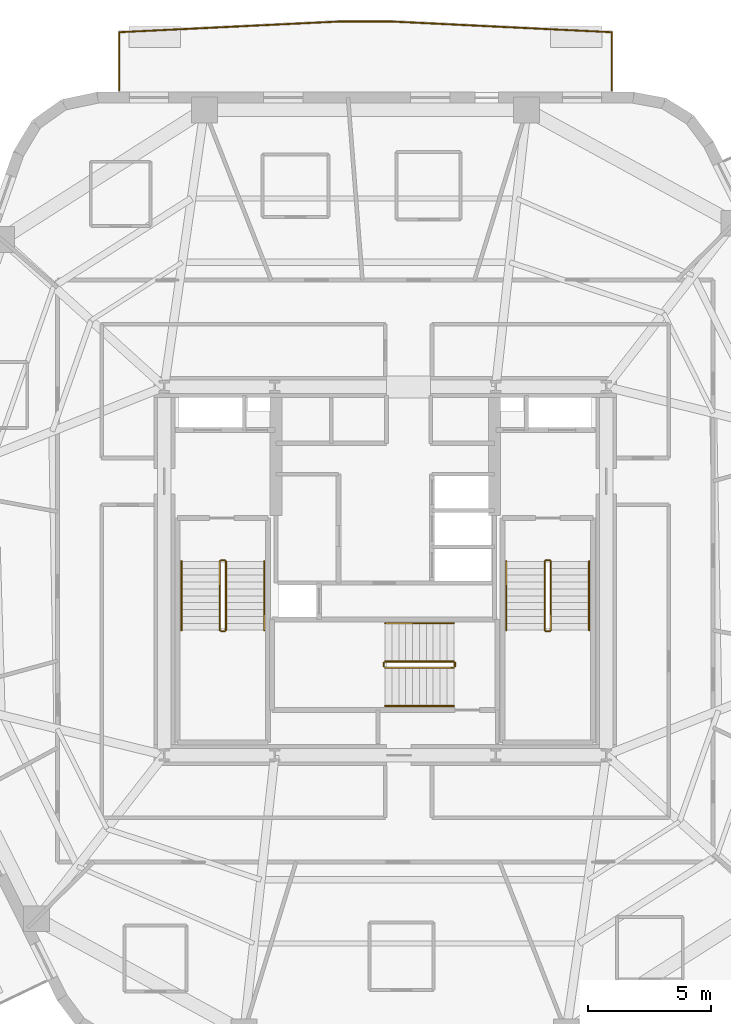
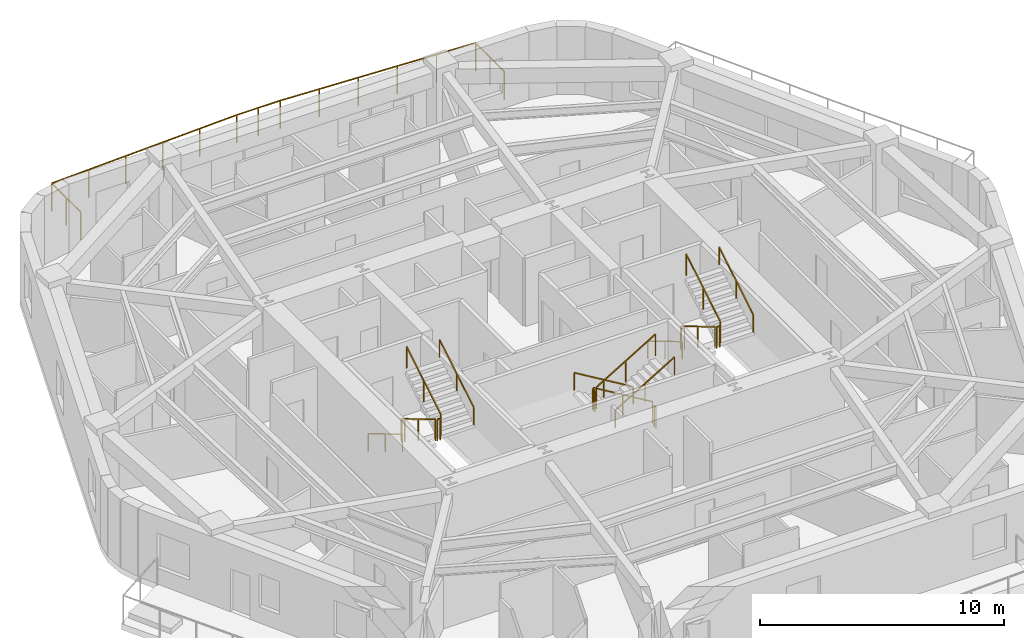
# One storey, part 9 of 10: 19 railings.
"""IFC4 building model written with IfcOpenShell, lengths in metres."""

from ifc_helpers import new_model, si_unit, direction, frame, origin, origin_2d, place, context, subcontext, project, spatial, rectangle, extrude, material, layer, layer_set, type_object, element, save


model = new_model("IFC4")

# Units and contexts
model_context = context("Model", 3, precision=1e-05, world=origin(), true_north=direction((0.0, 1.0)))
body_context = subcontext(model_context, "Body", "Model", "MODEL_VIEW")
ifc_project = project(units=[si_unit("LENGTHUNIT", "METRE"), si_unit("AREAUNIT", "SQUARE_METRE"), si_unit("VOLUMEUNIT", "CUBIC_METRE"), si_unit("PLANEANGLEUNIT", "RADIAN"), si_unit("MASSUNIT", "GRAM", prefix="KILO")], contexts=[model_context])

# Site, building, storey
site_placement = place(None, origin())
site = spatial("IfcSite", under=ifc_project, at=site_placement, CompositionType="ELEMENT")
building_placement = place(site_placement, origin())
building = spatial("IfcBuilding", under=site, at=building_placement, Name="Kilnhurst Terrace Hotel", CompositionType="ELEMENT")
storey_placement = place(building_placement, frame((0.0, 0.0, 155.39990234375)))
storey = spatial("IfcBuildingStorey", under=building, at=storey_placement, Name="L38", CompositionType="ELEMENT", Elevation=155.39990234375)

# Railings
ifc_material_1 = material(Name="Laminated SentryGlas and Stainless Steel AISI 316L Balustrade", Category="steel")
ifc_layer_1 = layer(ifc_material_1, 0.070068359375, Name="Laminated SentryGlas and Stainless Steel AISI 316L Balustrade")
ifc_layer_set_1 = layer_set([ifc_layer_1], Name="Laminated SentryGlas and Stainless Steel AISI 316L Balustrade")
railing_type_1 = type_object("IfcRailingType", Name="RLG-BAL-1420", PredefinedType="BALUSTRADE", material=ifc_layer_set_1)
railing_1_placement = place(storey_placement, frame((-10.83349609375, 19.580078125, 0.0)))
element("IfcRailing", 1, at=railing_1_placement, inside=storey, type_object=railing_type_1, Name="L38 Exterior Terrace Guardrail BAL-L1B.1", PredefinedType="BALUSTRADE", context=body_context, shape_type="SweptSolid", body=[
    extrude(rectangle(XDim=0.048095703125, YDim=0.048095703125, at=origin_2d()), frame((0.0, 0.0, 1.39599609375), z_axis=(0.0, 1.0, 0.0), x_axis=(-1.0, 0.0, 0.0)), (0.0, 0.0, 1.0), 2.36279296875),
    extrude(rectangle(XDim=0.048095703125, YDim=0.048095703125, at=origin_2d()), frame((0.0, 2.36279296875, 1.39599609375), z_axis=(0.998822813861, 0.048507592295, 0.0), x_axis=(-0.048507592295, 0.998822813861, 0.0)), (0.0, 0.0, 1.0), 9.009033203125),
    extrude(rectangle(XDim=0.048095703125, YDim=0.048095703125, at=origin_2d()), frame((8.99853515625, 2.7998046875, 1.39599609375), z_axis=(1.0, 0.0, 0.0), x_axis=(0.0, 1.0, 0.0)), (0.0, 0.0, 1.0), 2.0556640625),
    extrude(rectangle(XDim=0.048095703125, YDim=0.048095703125, at=origin_2d()), frame((11.05419921875, 2.7998046875, 1.39599609375), z_axis=(0.998822813861, -0.048507592295, 0.0), x_axis=(0.048507592295, 0.998822813861, 0.0)), (0.0, 0.0, 1.0), 9.009033203125),
    extrude(rectangle(XDim=0.048095703125, YDim=0.048095703125, at=origin_2d()), frame((20.052734375, 2.36279296875, 1.39599609375), z_axis=(0.0, -1.0, 0.0), x_axis=(1.0, 0.0, 0.0)), (0.0, 0.0, 1.0), 2.36279296875),
    extrude(rectangle(XDim=0.0419921875, YDim=0.0419921875, at=origin_2d()), origin(), (0.0, 0.0, 1.0), 1.371826171875),
    extrude(rectangle(XDim=0.0419921875, YDim=0.0419921875, at=origin_2d()), frame((0.0, 1.181396484375, 0.0)), (0.0, 0.0, 1.0), 1.371826171875),
    extrude(rectangle(XDim=0.0419921875, YDim=0.0419921875, at=origin_2d()), frame((0.0, 2.36279296875, 0.0)), (0.0, 0.0, 1.0), 1.371826171875),
    extrude(rectangle(XDim=0.0419921875, YDim=0.0419921875, at=origin_2d()), frame((1.7998046875, 2.4501953125, 0.0)), (0.0, 0.0, 1.0), 1.371826171875),
    extrude(rectangle(XDim=0.0419921875, YDim=0.0419921875, at=origin_2d()), frame((3.599365234375, 2.53759765625, 0.0)), (0.0, 0.0, 1.0), 1.371826171875),
    extrude(rectangle(XDim=0.0419921875, YDim=0.0419921875, at=origin_2d()), frame((5.399169921875, 2.625, 0.0)), (0.0, 0.0, 1.0), 1.371826171875),
    extrude(rectangle(XDim=0.0419921875, YDim=0.0419921875, at=origin_2d()), frame((7.19873046875, 2.71240234375, 0.0)), (0.0, 0.0, 1.0), 1.371826171875),
    extrude(rectangle(XDim=0.0419921875, YDim=0.0419921875, at=origin_2d()), frame((8.99853515625, 2.7998046875, 0.0)), (0.0, 0.0, 1.0), 1.371826171875),
    extrude(rectangle(XDim=0.0419921875, YDim=0.0419921875, at=origin_2d()), frame((10.0263671875, 2.7998046875, 0.0)), (0.0, 0.0, 1.0), 1.371826171875),
    extrude(rectangle(XDim=0.0419921875, YDim=0.0419921875, at=origin_2d()), frame((11.05419921875, 2.7998046875, 0.0)), (0.0, 0.0, 1.0), 1.371826171875),
    extrude(rectangle(XDim=0.0419921875, YDim=0.0419921875, at=origin_2d()), frame((12.85400390625, 2.71240234375, 0.0)), (0.0, 0.0, 1.0), 1.371826171875),
    extrude(rectangle(XDim=0.0419921875, YDim=0.0419921875, at=origin_2d()), frame((14.653564453125, 2.625, 0.0)), (0.0, 0.0, 1.0), 1.371826171875),
    extrude(rectangle(XDim=0.0419921875, YDim=0.0419921875, at=origin_2d()), frame((16.453369140625, 2.53759765625, 0.0)), (0.0, 0.0, 1.0), 1.371826171875),
    extrude(rectangle(XDim=0.0419921875, YDim=0.0419921875, at=origin_2d()), frame((18.2529296875, 2.4501953125, 0.0)), (0.0, 0.0, 1.0), 1.371826171875),
    extrude(rectangle(XDim=0.0419921875, YDim=0.0419921875, at=origin_2d()), frame((20.052734375, 2.36279296875, 0.0)), (0.0, 0.0, 1.0), 1.371826171875),
    extrude(rectangle(XDim=0.0419921875, YDim=0.0419921875, at=origin_2d()), frame((20.052734375, 1.181396484375, 0.0)), (0.0, 0.0, 1.0), 1.371826171875),
    extrude(rectangle(XDim=0.0419921875, YDim=0.0419921875, at=origin_2d()), frame((20.052734375, 0.0, 0.0)), (0.0, 0.0, 1.0), 1.371826171875),
])
ifc_material_2 = material(Name="Powder-Coated Steel ASTM A500 Grade B", Category="steel")
ifc_layer_2 = layer(ifc_material_2, 0.050048828125, Name="Powder-Coated Steel ASTM A500 Grade B")
ifc_layer_set_2 = layer_set([ifc_layer_2], Name="Powder-Coated Steel ASTM A500 Grade B")
railing_type_2 = type_object("IfcRailingType", Name="RLG-ST-GRD-1100", PredefinedType="GUARDRAIL", material=ifc_layer_set_2)
railing_2_placement = place(storey_placement, frame((-6.739990234375, 0.389892578125, 0.168212890625)))
element("IfcRailing", 2, at=railing_2_placement, inside=storey, type_object=railing_type_2, Name="L38 ST-1 stair guard 1", PredefinedType="GUARDRAIL", context=body_context, shape_type="SweptSolid", body=[
    extrude(rectangle(XDim=0.048095703125, YDim=0.048095703125, at=origin_2d()), frame((0.0, 0.0, 1.076171875), z_axis=(0.0, -0.857222391501, 0.514946377315), x_axis=(1.0, 0.0, 0.0)), (0.0, 0.0, 1.0), 3.26611328125),
    extrude(rectangle(XDim=0.0419921875, YDim=0.0419921875, at=origin_2d()), origin(), (0.0, 0.0, 1.0), 1.052001953125),
    extrude(rectangle(XDim=0.0419921875, YDim=0.0419921875, at=origin_2d()), frame((0.0, -1.39990234375, 0.8408203125)), (0.0, 0.0, 1.0), 1.052001953125),
    extrude(rectangle(XDim=0.0419921875, YDim=0.0419921875, at=origin_2d()), frame((0.0, -2.7998046875, 1.681884765625)), (0.0, 0.0, 1.0), 1.052001953125),
])
railing_3_placement = place(storey_placement, frame((-6.68994140625, -2.4599609375, 1.85009765625)))
element("IfcRailing", 3, at=railing_3_placement, inside=storey, type_object=railing_type_2, Name="L38 ST-1 stair guard 2", PredefinedType="GUARDRAIL", context=body_context, shape_type="SweptSolid", body=[
    extrude(rectangle(XDim=0.048095703125, YDim=0.048095703125, at=origin_2d()), frame((0.0, 0.0, 1.076171875), z_axis=(1.0, 0.0, 0.0), x_axis=(0.0, 1.0, 0.0)), (0.0, 0.0, 1.0), 0.14990234375),
    extrude(rectangle(XDim=0.0419921875, YDim=0.0419921875, at=origin_2d()), origin(), (0.0, 0.0, 1.0), 1.052001953125),
    extrude(rectangle(XDim=0.0419921875, YDim=0.0419921875, at=origin_2d()), frame((0.14990234375, 0.0, 0.0)), (0.0, 0.0, 1.0), 1.052001953125),
])
railing_4_placement = place(storey_placement, frame((-6.489990234375, -2.409912109375, 2.018310546875)))
element("IfcRailing", 4, at=railing_4_placement, inside=storey, type_object=railing_type_2, Name="L38 ST-1 stair guard 3", PredefinedType="GUARDRAIL", context=body_context, shape_type="SweptSolid", body=[
    extrude(rectangle(XDim=0.048095703125, YDim=0.048095703125, at=origin_2d()), frame((0.0, 0.0, 1.076171875), z_axis=(0.0, 0.857222391501, 0.514946377315), x_axis=(-1.0, 0.0, 0.0)), (0.0, 0.0, 1.0), 3.26611328125),
    extrude(rectangle(XDim=0.0419921875, YDim=0.0419921875, at=origin_2d()), origin(), (0.0, 0.0, 1.0), 1.052001953125),
    extrude(rectangle(XDim=0.0419921875, YDim=0.0419921875, at=origin_2d()), frame((0.0, 1.39990234375, 0.8408203125)), (0.0, 0.0, 1.0), 1.052001953125),
    extrude(rectangle(XDim=0.0419921875, YDim=0.0419921875, at=origin_2d()), frame((0.0, 2.7998046875, 1.681884765625)), (0.0, 0.0, 1.0), 1.052001953125),
])
railing_5_placement = place(storey_placement, frame((-6.68994140625, 0.43994140625, 0.0)))
element("IfcRailing", 5, at=railing_5_placement, inside=storey, type_object=railing_type_2, Name="L38 ST-1 stair guard 4", PredefinedType="GUARDRAIL", context=body_context, shape_type="SweptSolid", body=[
    extrude(rectangle(XDim=0.048095703125, YDim=0.048095703125, at=origin_2d()), frame((0.0, 0.0, 1.076171875), z_axis=(1.0, 0.0, 0.0), x_axis=(0.0, 1.0, 0.0)), (0.0, 0.0, 1.0), 0.14990234375),
    extrude(rectangle(XDim=0.0419921875, YDim=0.0419921875, at=origin_2d()), origin(), (0.0, 0.0, 1.0), 1.052001953125),
    extrude(rectangle(XDim=0.0419921875, YDim=0.0419921875, at=origin_2d()), frame((0.14990234375, 0.0, 0.0)), (0.0, 0.0, 1.0), 1.052001953125),
])
railing_6_placement = place(storey_placement, frame((6.489990234375, 0.389892578125, 0.168212890625)))
element("IfcRailing", 6, at=railing_6_placement, inside=storey, type_object=railing_type_2, Name="L38 ST-2 stair guard 1", PredefinedType="GUARDRAIL", context=body_context, shape_type="SweptSolid", body=[
    extrude(rectangle(XDim=0.048095703125, YDim=0.048095703125, at=origin_2d()), frame((0.0, 0.0, 1.076171875), z_axis=(0.0, -0.857222391501, 0.514946377315), x_axis=(1.0, 0.0, 0.0)), (0.0, 0.0, 1.0), 3.26611328125),
    extrude(rectangle(XDim=0.0419921875, YDim=0.0419921875, at=origin_2d()), origin(), (0.0, 0.0, 1.0), 1.052001953125),
    extrude(rectangle(XDim=0.0419921875, YDim=0.0419921875, at=origin_2d()), frame((0.0, -1.39990234375, 0.8408203125)), (0.0, 0.0, 1.0), 1.052001953125),
    extrude(rectangle(XDim=0.0419921875, YDim=0.0419921875, at=origin_2d()), frame((0.0, -2.7998046875, 1.681884765625)), (0.0, 0.0, 1.0), 1.052001953125),
])
railing_7_placement = place(storey_placement, frame((6.5400390625, -2.4599609375, 1.85009765625)))
element("IfcRailing", 7, at=railing_7_placement, inside=storey, type_object=railing_type_2, Name="L38 ST-2 stair guard 2", PredefinedType="GUARDRAIL", context=body_context, shape_type="SweptSolid", body=[
    extrude(rectangle(XDim=0.048095703125, YDim=0.048095703125, at=origin_2d()), frame((0.0, 0.0, 1.076171875), z_axis=(1.0, 0.0, 0.0), x_axis=(0.0, 1.0, 0.0)), (0.0, 0.0, 1.0), 0.14990234375),
    extrude(rectangle(XDim=0.0419921875, YDim=0.0419921875, at=origin_2d()), origin(), (0.0, 0.0, 1.0), 1.052001953125),
    extrude(rectangle(XDim=0.0419921875, YDim=0.0419921875, at=origin_2d()), frame((0.14990234375, 0.0, 0.0)), (0.0, 0.0, 1.0), 1.052001953125),
])
railing_8_placement = place(storey_placement, frame((6.739990234375, -2.409912109375, 2.018310546875)))
element("IfcRailing", 8, at=railing_8_placement, inside=storey, type_object=railing_type_2, Name="L38 ST-2 stair guard 3", PredefinedType="GUARDRAIL", context=body_context, shape_type="SweptSolid", body=[
    extrude(rectangle(XDim=0.048095703125, YDim=0.048095703125, at=origin_2d()), frame((0.0, 0.0, 1.076171875), z_axis=(0.0, 0.857222391501, 0.514946377315), x_axis=(-1.0, 0.0, 0.0)), (0.0, 0.0, 1.0), 3.26611328125),
    extrude(rectangle(XDim=0.0419921875, YDim=0.0419921875, at=origin_2d()), origin(), (0.0, 0.0, 1.0), 1.052001953125),
    extrude(rectangle(XDim=0.0419921875, YDim=0.0419921875, at=origin_2d()), frame((0.0, 1.39990234375, 0.8408203125)), (0.0, 0.0, 1.0), 1.052001953125),
    extrude(rectangle(XDim=0.0419921875, YDim=0.0419921875, at=origin_2d()), frame((0.0, 2.7998046875, 1.681884765625)), (0.0, 0.0, 1.0), 1.052001953125),
])
railing_9_placement = place(storey_placement, frame((6.5400390625, 0.43994140625, 0.0)))
element("IfcRailing", 9, at=railing_9_placement, inside=storey, type_object=railing_type_2, Name="L38 ST-2 stair guard 4", PredefinedType="GUARDRAIL", context=body_context, shape_type="SweptSolid", body=[
    extrude(rectangle(XDim=0.048095703125, YDim=0.048095703125, at=origin_2d()), frame((0.0, 0.0, 1.076171875), z_axis=(1.0, 0.0, 0.0), x_axis=(0.0, 1.0, 0.0)), (0.0, 0.0, 1.0), 0.14990234375),
    extrude(rectangle(XDim=0.0419921875, YDim=0.0419921875, at=origin_2d()), origin(), (0.0, 0.0, 1.0), 1.052001953125),
    extrude(rectangle(XDim=0.0419921875, YDim=0.0419921875, at=origin_2d()), frame((0.14990234375, 0.0, 0.0)), (0.0, 0.0, 1.0), 1.052001953125),
])
railing_10_placement = place(storey_placement, frame((2.7900390625, -3.68994140625, 0.168212890625)))
element("IfcRailing", 10, at=railing_10_placement, inside=storey, type_object=railing_type_2, Name="L38 ST-3 stair guard 1", PredefinedType="GUARDRAIL", context=body_context, shape_type="SweptSolid", body=[
    extrude(rectangle(XDim=0.048095703125, YDim=0.048095703125, at=origin_2d()), frame((0.0, 0.0, 1.076171875), z_axis=(-0.857242210791, 0.0, 0.514913383045), x_axis=(0.0, -1.0, 0.0)), (0.0, 0.0, 1.0), 3.266357421875),
    extrude(rectangle(XDim=0.0419921875, YDim=0.0419921875, at=origin_2d()), origin(), (0.0, 0.0, 1.0), 1.052001953125),
    extrude(rectangle(XDim=0.0419921875, YDim=0.0419921875, at=origin_2d()), frame((-1.39990234375, 0.0, 0.8408203125)), (0.0, 0.0, 1.0), 1.052001953125),
    extrude(rectangle(XDim=0.0419921875, YDim=0.0419921875, at=origin_2d()), frame((-2.800048828125, 0.0, 1.681884765625)), (0.0, 0.0, 1.0), 1.052001953125),
])
railing_11_placement = place(storey_placement, frame((-0.06005859375, -3.739990234375, 1.85009765625)))
element("IfcRailing", 11, at=railing_11_placement, inside=storey, type_object=railing_type_2, Name="L38 ST-3 stair guard 2", PredefinedType="GUARDRAIL", context=body_context, shape_type="SweptSolid", body=[
    extrude(rectangle(XDim=0.048095703125, YDim=0.048095703125, at=origin_2d()), frame((0.0, 0.0, 1.076171875), z_axis=(0.0, -1.0, 0.0), x_axis=(1.0, 0.0, 0.0)), (0.0, 0.0, 1.0), 0.14990234375),
    extrude(rectangle(XDim=0.0419921875, YDim=0.0419921875, at=origin_2d()), origin(), (0.0, 0.0, 1.0), 1.052001953125),
    extrude(rectangle(XDim=0.0419921875, YDim=0.0419921875, at=origin_2d()), frame((0.0, -0.14990234375, 0.0)), (0.0, 0.0, 1.0), 1.052001953125),
])
railing_12_placement = place(storey_placement, frame((-0.010009765625, -3.93994140625, 2.018310546875)))
element("IfcRailing", 12, at=railing_12_placement, inside=storey, type_object=railing_type_2, Name="L38 ST-3 stair guard 3", PredefinedType="GUARDRAIL", context=body_context, shape_type="SweptSolid", body=[
    extrude(rectangle(XDim=0.048095703125, YDim=0.048095703125, at=origin_2d()), frame((0.0, 0.0, 1.076171875), z_axis=(0.857242210791, 0.0, 0.514913383045), x_axis=(0.0, 1.0, 0.0)), (0.0, 0.0, 1.0), 3.266357421875),
    extrude(rectangle(XDim=0.0419921875, YDim=0.0419921875, at=origin_2d()), origin(), (0.0, 0.0, 1.0), 1.052001953125),
    extrude(rectangle(XDim=0.0419921875, YDim=0.0419921875, at=origin_2d()), frame((1.39990234375, 0.0, 0.8408203125)), (0.0, 0.0, 1.0), 1.052001953125),
    extrude(rectangle(XDim=0.0419921875, YDim=0.0419921875, at=origin_2d()), frame((2.800048828125, 0.0, 1.681884765625)), (0.0, 0.0, 1.0), 1.052001953125),
])
railing_13_placement = place(storey_placement, frame((2.840087890625, -3.739990234375, 0.0)))
element("IfcRailing", 13, at=railing_13_placement, inside=storey, type_object=railing_type_2, Name="L38 ST-3 stair guard 4", PredefinedType="GUARDRAIL", context=body_context, shape_type="SweptSolid", body=[
    extrude(rectangle(XDim=0.048095703125, YDim=0.048095703125, at=origin_2d()), frame((0.0, 0.0, 1.076171875), z_axis=(0.0, -1.0, 0.0), x_axis=(1.0, 0.0, 0.0)), (0.0, 0.0, 1.0), 0.14990234375),
    extrude(rectangle(XDim=0.0419921875, YDim=0.0419921875, at=origin_2d()), origin(), (0.0, 0.0, 1.0), 1.052001953125),
    extrude(rectangle(XDim=0.0419921875, YDim=0.0419921875, at=origin_2d()), frame((0.0, -0.14990234375, 0.0)), (0.0, 0.0, 1.0), 1.052001953125),
])
ifc_material_3 = material(Name="Brushed Stainless Steel AISI 304", Category="steel")
ifc_layer_3 = layer(ifc_material_3, 0.048095703125, Name="Brushed Stainless Steel AISI 304")
ifc_layer_set_3 = layer_set([ifc_layer_3], Name="Brushed Stainless Steel AISI 304")
railing_type_3 = type_object("IfcRailingType", Name="RLG-ST-HRL-900", PredefinedType="HANDRAIL", material=ifc_layer_set_3)
railing_14_placement = place(storey_placement, frame((-8.300048828125, 0.389892578125, 0.168212890625)))
element("IfcRailing", 14, at=railing_14_placement, inside=storey, type_object=railing_type_3, Name="L38 ST-1 stair handrail 1", PredefinedType="HANDRAIL", context=body_context, shape_type="SweptSolid", body=[
    extrude(rectangle(XDim=0.048095703125, YDim=0.048095703125, at=origin_2d()), frame((0.0, 0.0, 0.8759765625), z_axis=(0.0, -0.857222391501, 0.514946377315), x_axis=(1.0, 0.0, 0.0)), (0.0, 0.0, 1.0), 3.26611328125),
    extrude(rectangle(XDim=0.0419921875, YDim=0.0419921875, at=origin_2d()), origin(), (0.0, 0.0, 1.0), 0.851806640625),
    extrude(rectangle(XDim=0.0419921875, YDim=0.0419921875, at=origin_2d()), frame((0.0, -1.39990234375, 0.8408203125)), (0.0, 0.0, 1.0), 0.851806640625),
    extrude(rectangle(XDim=0.0419921875, YDim=0.0419921875, at=origin_2d()), frame((0.0, -2.7998046875, 1.681884765625)), (0.0, 0.0, 1.0), 0.851806640625),
])
railing_15_placement = place(storey_placement, frame((-4.929931640625, -2.409912109375, 2.018310546875)))
element("IfcRailing", 15, at=railing_15_placement, inside=storey, type_object=railing_type_3, Name="L38 ST-1 stair handrail 2", PredefinedType="HANDRAIL", context=body_context, shape_type="SweptSolid", body=[
    extrude(rectangle(XDim=0.048095703125, YDim=0.048095703125, at=origin_2d()), frame((0.0, 0.0, 0.8759765625), z_axis=(0.0, 0.857222391501, 0.514946377315), x_axis=(-1.0, 0.0, 0.0)), (0.0, 0.0, 1.0), 3.26611328125),
    extrude(rectangle(XDim=0.0419921875, YDim=0.0419921875, at=origin_2d()), origin(), (0.0, 0.0, 1.0), 0.851806640625),
    extrude(rectangle(XDim=0.0419921875, YDim=0.0419921875, at=origin_2d()), frame((0.0, 1.39990234375, 0.8408203125)), (0.0, 0.0, 1.0), 0.851806640625),
    extrude(rectangle(XDim=0.0419921875, YDim=0.0419921875, at=origin_2d()), frame((0.0, 2.7998046875, 1.681884765625)), (0.0, 0.0, 1.0), 0.851806640625),
])
railing_16_placement = place(storey_placement, frame((4.929931640625, 0.389892578125, 0.168212890625)))
element("IfcRailing", 16, at=railing_16_placement, inside=storey, type_object=railing_type_3, Name="L38 ST-2 stair handrail 1", PredefinedType="HANDRAIL", context=body_context, shape_type="SweptSolid", body=[
    extrude(rectangle(XDim=0.048095703125, YDim=0.048095703125, at=origin_2d()), frame((0.0, 0.0, 0.8759765625), z_axis=(0.0, -0.857222391501, 0.514946377315), x_axis=(1.0, 0.0, 0.0)), (0.0, 0.0, 1.0), 3.26611328125),
    extrude(rectangle(XDim=0.0419921875, YDim=0.0419921875, at=origin_2d()), origin(), (0.0, 0.0, 1.0), 0.851806640625),
    extrude(rectangle(XDim=0.0419921875, YDim=0.0419921875, at=origin_2d()), frame((0.0, -1.39990234375, 0.8408203125)), (0.0, 0.0, 1.0), 0.851806640625),
    extrude(rectangle(XDim=0.0419921875, YDim=0.0419921875, at=origin_2d()), frame((0.0, -2.7998046875, 1.681884765625)), (0.0, 0.0, 1.0), 0.851806640625),
])
railing_17_placement = place(storey_placement, frame((8.300048828125, -2.409912109375, 2.018310546875)))
element("IfcRailing", 17, at=railing_17_placement, inside=storey, type_object=railing_type_3, Name="L38 ST-2 stair handrail 2", PredefinedType="HANDRAIL", context=body_context, shape_type="SweptSolid", body=[
    extrude(rectangle(XDim=0.048095703125, YDim=0.048095703125, at=origin_2d()), frame((0.0, 0.0, 0.8759765625), z_axis=(0.0, 0.857222391501, 0.514946377315), x_axis=(-1.0, 0.0, 0.0)), (0.0, 0.0, 1.0), 3.26611328125),
    extrude(rectangle(XDim=0.0419921875, YDim=0.0419921875, at=origin_2d()), origin(), (0.0, 0.0, 1.0), 0.851806640625),
    extrude(rectangle(XDim=0.0419921875, YDim=0.0419921875, at=origin_2d()), frame((0.0, 1.39990234375, 0.8408203125)), (0.0, 0.0, 1.0), 0.851806640625),
    extrude(rectangle(XDim=0.0419921875, YDim=0.0419921875, at=origin_2d()), frame((0.0, 2.7998046875, 1.681884765625)), (0.0, 0.0, 1.0), 0.851806640625),
])
railing_18_placement = place(storey_placement, frame((2.7900390625, -2.1298828125, 0.168212890625)))
element("IfcRailing", 18, at=railing_18_placement, inside=storey, type_object=railing_type_3, Name="L38 ST-3 stair handrail 1", PredefinedType="HANDRAIL", context=body_context, shape_type="SweptSolid", body=[
    extrude(rectangle(XDim=0.048095703125, YDim=0.048095703125, at=origin_2d()), frame((0.0, 0.0, 0.8759765625), z_axis=(-0.857242210791, 0.0, 0.514913383045), x_axis=(0.0, -1.0, 0.0)), (0.0, 0.0, 1.0), 3.266357421875),
    extrude(rectangle(XDim=0.0419921875, YDim=0.0419921875, at=origin_2d()), origin(), (0.0, 0.0, 1.0), 0.851806640625),
    extrude(rectangle(XDim=0.0419921875, YDim=0.0419921875, at=origin_2d()), frame((-1.39990234375, 0.0, 0.8408203125)), (0.0, 0.0, 1.0), 0.851806640625),
    extrude(rectangle(XDim=0.0419921875, YDim=0.0419921875, at=origin_2d()), frame((-2.800048828125, 0.0, 1.681884765625)), (0.0, 0.0, 1.0), 0.851806640625),
])
railing_19_placement = place(storey_placement, frame((-0.010009765625, -5.5, 2.018310546875)))
element("IfcRailing", 19, at=railing_19_placement, inside=storey, type_object=railing_type_3, Name="L38 ST-3 stair handrail 2", PredefinedType="HANDRAIL", context=body_context, shape_type="SweptSolid", body=[
    extrude(rectangle(XDim=0.048095703125, YDim=0.048095703125, at=origin_2d()), frame((0.0, 0.0, 0.8759765625), z_axis=(0.857242210791, 0.0, 0.514913383045), x_axis=(0.0, 1.0, 0.0)), (0.0, 0.0, 1.0), 3.266357421875),
    extrude(rectangle(XDim=0.0419921875, YDim=0.0419921875, at=origin_2d()), origin(), (0.0, 0.0, 1.0), 0.851806640625),
    extrude(rectangle(XDim=0.0419921875, YDim=0.0419921875, at=origin_2d()), frame((1.39990234375, 0.0, 0.8408203125)), (0.0, 0.0, 1.0), 0.851806640625),
    extrude(rectangle(XDim=0.0419921875, YDim=0.0419921875, at=origin_2d()), frame((2.800048828125, 0.0, 1.681884765625)), (0.0, 0.0, 1.0), 0.851806640625),
])

save(model, "model.ifc")
